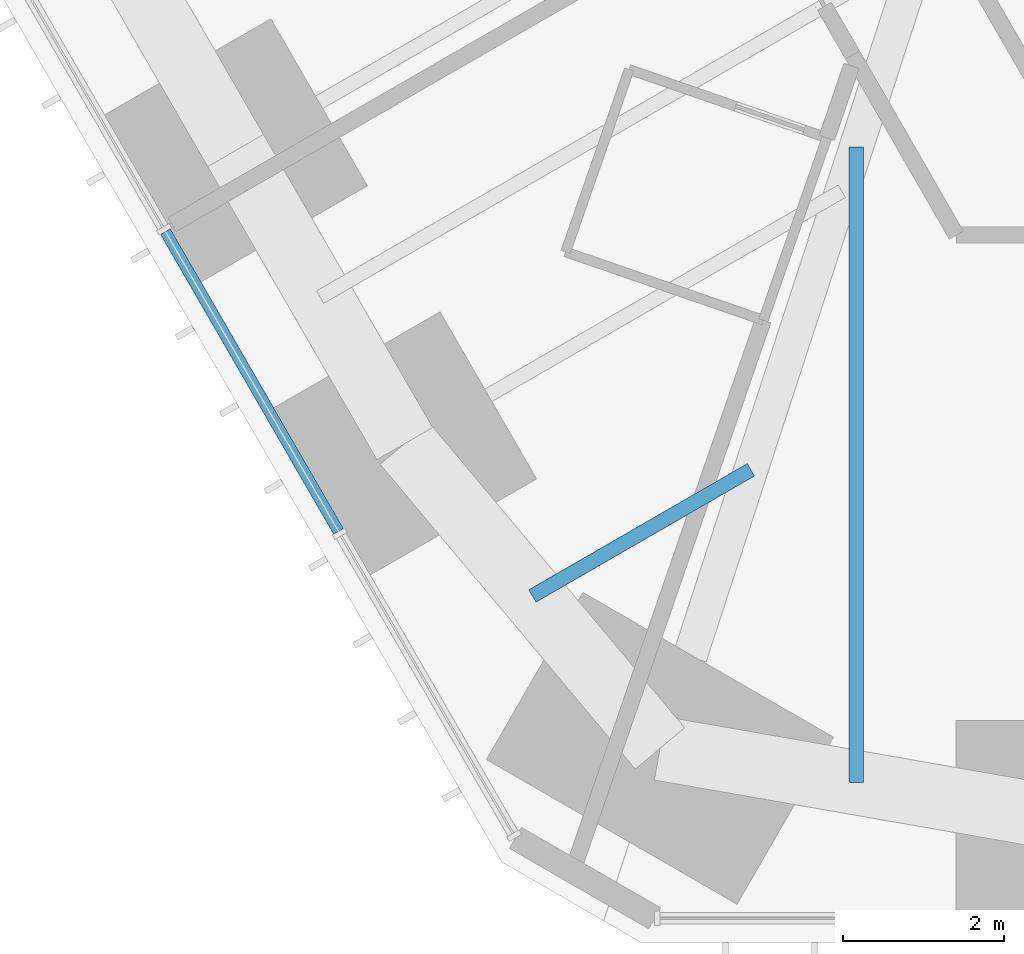
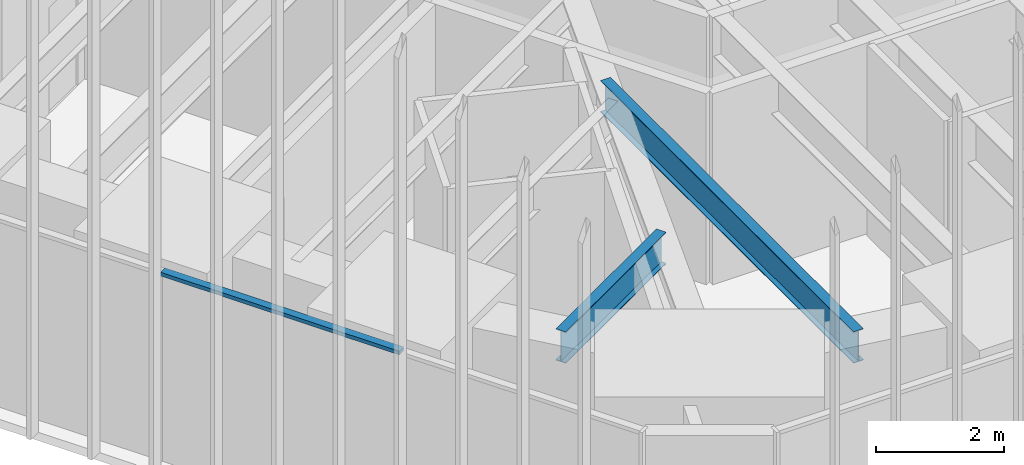
# One storey, part 28 of 256: 2 beams, 1 member, 1 element without a shape of its own.
"""IFC4 building model written with IfcOpenShell, lengths in metres."""

from ifc_helpers import new_model, si_unit, direction, frame, origin, origin_2d, place, context, subcontext, project, spatial, rectangle, i_section, extrude, material, material_profile, profile_set, type_object, element, aggregate, save


model = new_model("IFC4")

# Units and contexts
model_context = context("Model", 3, precision=1e-05, world=origin(), true_north=direction((0.0, 1.0)))
body_context = subcontext(model_context, "Body", "Model", "MODEL_VIEW")
ifc_project = project(units=[si_unit("LENGTHUNIT", "METRE"), si_unit("AREAUNIT", "SQUARE_METRE"), si_unit("VOLUMEUNIT", "CUBIC_METRE"), si_unit("PLANEANGLEUNIT", "RADIAN"), si_unit("MASSUNIT", "GRAM", prefix="KILO")], contexts=[model_context])

# Site, building, storey
site_placement = place(None, origin())
site = spatial("IfcSite", under=ifc_project, at=site_placement, CompositionType="ELEMENT")
building_placement = place(site_placement, origin())
building = spatial("IfcBuilding", under=site, at=building_placement, Name="Sandreach Pilgrim Tower", CompositionType="ELEMENT")
storey_placement = place(building_placement, frame((0.0, 0.0, 23.0)))
storey = spatial("IfcBuildingStorey", under=building, at=storey_placement, Name="L04", CompositionType="ELEMENT", Elevation=23.0)

# Curtain wall, member
ifc_material_1 = material(Name="Aluminium framed curtain wall", Category="aluminium")
curtain_wall_type = type_object("IfcCurtainWallType", Name="Hostel tower curtain wall", PredefinedType="NOTDEFINED", material=ifc_material_1)
curtain_wall_placement = place(storey_placement, origin())
curtain_wall = element("IfcCurtainWall", 1, at=curtain_wall_placement, inside=storey, type_object=curtain_wall_type, Name="CW-1 L04 SW", PredefinedType="NOTDEFINED")
ifc_material_2 = material(Name="Aluminium extrusion", Category="aluminium")
ifc_material_profile_1 = material_profile(ifc_material_2, rectangle(XDim=0.139892578125, YDim=0.070068359375, at=origin_2d()), Name="CW-1T 140X70")
ifc_profile_set_1 = profile_set([ifc_material_profile_1], Name="Aluminium extrusion")
member_type = type_object("IfcMemberType", Name="CW-1 transom", PredefinedType="USERDEFINED", material=ifc_profile_set_1)
member_placement = place(storey_placement, frame((-13.106201171875, -25.19677734375, 3.60498046875), z_axis=(-0.500016891966, 0.866015650984, 0.0), x_axis=(-0.866015650984, -0.500016891966, 0.0)))
member = element("IfcMember", 2, at=member_placement, type_object=member_type, Name="CW-1 head transom 2", ObjectType="TRANSOM", PredefinedType="USERDEFINED", context=body_context, shape_type="SweptSolid", body=[
    extrude(rectangle(XDim=0.139892578125, YDim=0.070068359375, at=origin_2d()), origin(), (0.0, 0.0, 1.0), 4.306396484375),
])
aggregate(curtain_wall, [member])

# Beams
ifc_material_3 = material(Name="Steel ASTM A992 Grade 50", Category="steel")
ifc_material_profile_2 = material_profile(ifc_material_3, i_section(OverallWidth=0.1787109375, OverallDepth=0.60205078125, WebThickness=0.010986328125, FlangeThickness=0.014892578125, at=origin_2d()), Name="W24X62")
ifc_profile_set_2 = profile_set([ifc_material_profile_2], Name="Steel ASTM A992 Grade 50")
beam_type = type_object("IfcBeamType", Name="Floor beam W24X62", PredefinedType="BEAM", material=ifc_profile_set_2)
beam_1_placement = place(storey_placement, frame((-6.664306640625, -28.323974609375, 3.339111328125), z_axis=(0.0, 1.0, 0.0), x_axis=(-1.0, 0.0, 0.0)))
element("IfcBeam", 3, at=beam_1_placement, inside=storey, type_object=beam_type, Name="BM L04 FM25", PredefinedType="BEAM", context=body_context, shape_type="SweptSolid", body=[
    extrude(i_section(OverallWidth=0.1787109375, OverallDepth=0.60205078125, WebThickness=0.010986328125, FlangeThickness=0.014892578125, at=origin_2d()), origin(), (0.0, 0.0, 1.0), 7.907958984375),
])
beam_2_placement = place(storey_placement, frame((-10.694091796875, -26.0009765625, 3.339111328125), z_axis=(0.866023718453, 0.500002919068, 0.0), x_axis=(-0.500002919068, 0.866023718453, 0.0)))
element("IfcBeam", 4, at=beam_2_placement, inside=storey, type_object=beam_type, Name="BM L04 FM26", PredefinedType="BEAM", context=body_context, shape_type="SweptSolid", body=[
    extrude(i_section(OverallWidth=0.1787109375, OverallDepth=0.60205078125, WebThickness=0.010986328125, FlangeThickness=0.014892578125, at=origin_2d()), origin(), (0.0, 0.0, 1.0), 3.1396484375),
])

save(model, "model.ifc")
